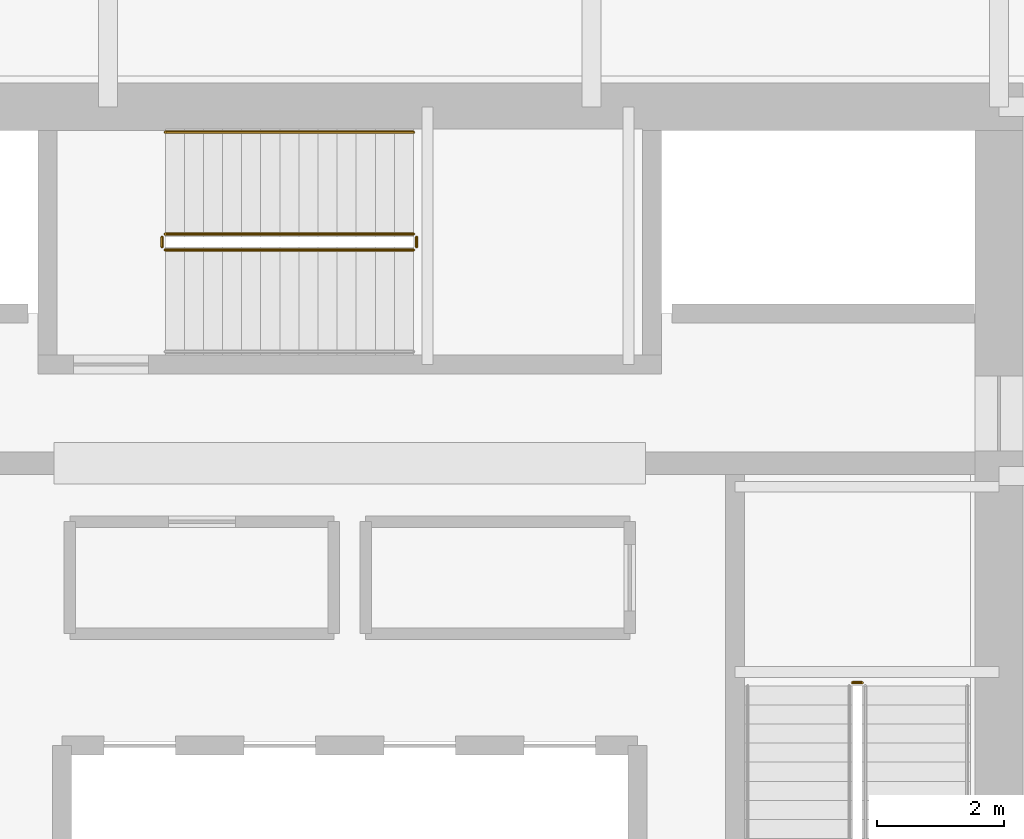
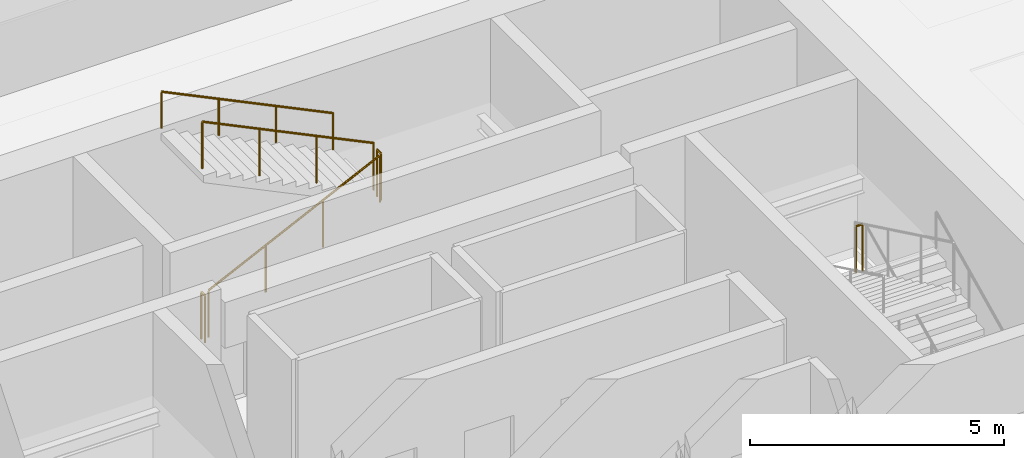
# One storey, part 33 of 34: 6 railings.
"""IFC4 building model written with IfcOpenShell, lengths in metres."""

from ifc_helpers import new_model, si_unit, direction, frame, origin, origin_2d, place, context, subcontext, project, spatial, circle, extrude, material, type_object, element, save


model = new_model("IFC4")

# Units and contexts
model_context = context("Model", 3, precision=1e-05, world=origin(), true_north=direction((0.0, 1.0)))
body_context = subcontext(model_context, "Body", "Model", "MODEL_VIEW")
ifc_project = project(units=[si_unit("LENGTHUNIT", "METRE"), si_unit("AREAUNIT", "SQUARE_METRE"), si_unit("VOLUMEUNIT", "CUBIC_METRE"), si_unit("PLANEANGLEUNIT", "RADIAN"), si_unit("MASSUNIT", "GRAM", prefix="KILO")], contexts=[model_context])

# Site, building, storey
site_placement = place(None, origin())
site = spatial("IfcSite", under=ifc_project, at=site_placement, CompositionType="ELEMENT")
building_placement = place(site_placement, origin())
building = spatial("IfcBuilding", under=site, at=building_placement, Name="Punatoya Terracotta Tower", CompositionType="ELEMENT")
storey_placement = place(building_placement, frame((0.0, 0.0, 101.10009765625)))
storey = spatial("IfcBuildingStorey", under=building, at=storey_placement, Name="L23", CompositionType="ELEMENT", Elevation=101.10009765625)

# Railings
ifc_material = material(Name="Steel S355", Category="steel")
railing_type_1 = type_object("IfcRailingType", Name="RLG-GRD-1150", PredefinedType="GUARDRAIL", material=ifc_material)
railing_1_placement = place(storey_placement, frame((8.050048828125, 0.14990234375, 2.02490234375)))
element("IfcRailing", 1, at=railing_1_placement, inside=storey, type_object=railing_type_1, Name="L23 ST-2 stair guard 2", PredefinedType="GUARDRAIL", context=body_context, shape_type="SweptSolid", body=[
    extrude(circle(Radius=0.02392578125, at=origin_2d()), frame((0.0, 0.0, 1.1259765625), z_axis=(-1.0, 0.0, 0.0), x_axis=(0.0, -1.0, 0.0)), (0.0, 0.0, 1.0), 0.150146484375),
    extrude(circle(Radius=0.02099609375, at=origin_2d()), origin(), (0.0, 0.0, 1.0), 1.101806640625),
    extrude(circle(Radius=0.02099609375, at=origin_2d()), frame((-0.150146484375, 0.0, 0.0)), (0.0, 0.0, 1.0), 1.101806640625),
])
railing_2_placement = place(storey_placement, frame((-2.89990234375, 6.949951171875, 0.14453125)))
element("IfcRailing", 2, at=railing_2_placement, inside=storey, type_object=railing_type_1, Name="L23 ST-3 stair guard 1", PredefinedType="GUARDRAIL", context=body_context, shape_type="SweptSolid", body=[
    extrude(circle(Radius=0.02392578125, at=origin_2d()), frame((0.0, 0.0, 1.1259765625), z_axis=(0.900763166376, 0.0, 0.434310623978), x_axis=(0.0, 1.0, 0.0)), (0.0, 0.0, 1.0), 4.32958984375),
    extrude(circle(Radius=0.02099609375, at=origin_2d()), origin(), (0.0, 0.0, 1.0), 1.101806640625),
    extrude(circle(Radius=0.02099609375, at=origin_2d()), frame((1.300048828125, 0.0, 0.626708984375)), (0.0, 0.0, 1.0), 1.101806640625),
    extrude(circle(Radius=0.02099609375, at=origin_2d()), frame((2.599853515625, 0.0, 1.253662109375)), (0.0, 0.0, 1.0), 1.101806640625),
    extrude(circle(Radius=0.02099609375, at=origin_2d()), frame((3.89990234375, 0.0, 1.88037109375)), (0.0, 0.0, 1.0), 1.101806640625),
])
railing_3_placement = place(storey_placement, frame((1.050048828125, 7.0, 2.02490234375)))
element("IfcRailing", 3, at=railing_3_placement, inside=storey, type_object=railing_type_1, Name="L23 ST-3 stair guard 2", PredefinedType="GUARDRAIL", context=body_context, shape_type="SweptSolid", body=[
    extrude(circle(Radius=0.02392578125, at=origin_2d()), frame((0.0, 0.0, 1.1259765625), z_axis=(0.0, 1.0, 0.0), x_axis=(-1.0, 0.0, 0.0)), (0.0, 0.0, 1.0), 0.14990234375),
    extrude(circle(Radius=0.02099609375, at=origin_2d()), origin(), (0.0, 0.0, 1.0), 1.101806640625),
    extrude(circle(Radius=0.02099609375, at=origin_2d()), frame((0.0, 0.14990234375, 0.0)), (0.0, 0.0, 1.0), 1.101806640625),
])
railing_4_placement = place(storey_placement, frame((1.0, 7.199951171875, 2.16943359375)))
element("IfcRailing", 4, at=railing_4_placement, inside=storey, type_object=railing_type_1, Name="L23 ST-3 stair guard 3", PredefinedType="GUARDRAIL", context=body_context, shape_type="SweptSolid", body=[
    extrude(circle(Radius=0.02392578125, at=origin_2d()), frame((0.0, 0.0, 1.1259765625), z_axis=(-0.900763166376, 0.0, 0.434310623978), x_axis=(0.0, -1.0, 0.0)), (0.0, 0.0, 1.0), 4.32958984375),
    extrude(circle(Radius=0.02099609375, at=origin_2d()), origin(), (0.0, 0.0, 1.0), 1.101806640625),
    extrude(circle(Radius=0.02099609375, at=origin_2d()), frame((-1.300048828125, 0.0, 0.626708984375)), (0.0, 0.0, 1.0), 1.101806640625),
    extrude(circle(Radius=0.02099609375, at=origin_2d()), frame((-2.599853515625, 0.0, 1.253662109375)), (0.0, 0.0, 1.0), 1.101806640625),
    extrude(circle(Radius=0.02099609375, at=origin_2d()), frame((-3.89990234375, 0.0, 1.88037109375)), (0.0, 0.0, 1.0), 1.101806640625),
])
railing_5_placement = place(storey_placement, frame((-2.949951171875, 7.0, 0.0)))
element("IfcRailing", 5, at=railing_5_placement, inside=storey, type_object=railing_type_1, Name="L23 ST-3 stair guard 4", PredefinedType="GUARDRAIL", context=body_context, shape_type="SweptSolid", body=[
    extrude(circle(Radius=0.02392578125, at=origin_2d()), frame((0.0, 0.0, 1.1259765625), z_axis=(0.0, 1.0, 0.0), x_axis=(-1.0, 0.0, 0.0)), (0.0, 0.0, 1.0), 0.14990234375),
    extrude(circle(Radius=0.02099609375, at=origin_2d()), origin(), (0.0, 0.0, 1.0), 1.101806640625),
    extrude(circle(Radius=0.02099609375, at=origin_2d()), frame((0.0, 0.14990234375, 0.0)), (0.0, 0.0, 1.0), 1.101806640625),
])
railing_type_2 = type_object("IfcRailingType", Name="RLG-HND-900", PredefinedType="HANDRAIL", material=ifc_material)
railing_6_placement = place(storey_placement, frame((1.0, 8.800048828125, 2.16943359375)))
element("IfcRailing", 6, at=railing_6_placement, inside=storey, type_object=railing_type_2, Name="L23 ST-3 stair handrail 2", PredefinedType="HANDRAIL", context=body_context, shape_type="SweptSolid", body=[
    extrude(circle(Radius=0.02392578125, at=origin_2d()), frame((0.0, 0.0, 0.8759765625), z_axis=(-0.900763166376, 0.0, 0.434310623978), x_axis=(0.0, -1.0, 0.0)), (0.0, 0.0, 1.0), 4.32958984375),
    extrude(circle(Radius=0.02099609375, at=origin_2d()), origin(), (0.0, 0.0, 1.0), 0.851806640625),
    extrude(circle(Radius=0.02099609375, at=origin_2d()), frame((-1.300048828125, 0.0, 0.626708984375)), (0.0, 0.0, 1.0), 0.851806640625),
    extrude(circle(Radius=0.02099609375, at=origin_2d()), frame((-2.599853515625, 0.0, 1.253662109375)), (0.0, 0.0, 1.0), 0.851806640625),
    extrude(circle(Radius=0.02099609375, at=origin_2d()), frame((-3.89990234375, 0.0, 1.88037109375)), (0.0, 0.0, 1.0), 0.851806640625),
])

save(model, "model.ifc")
